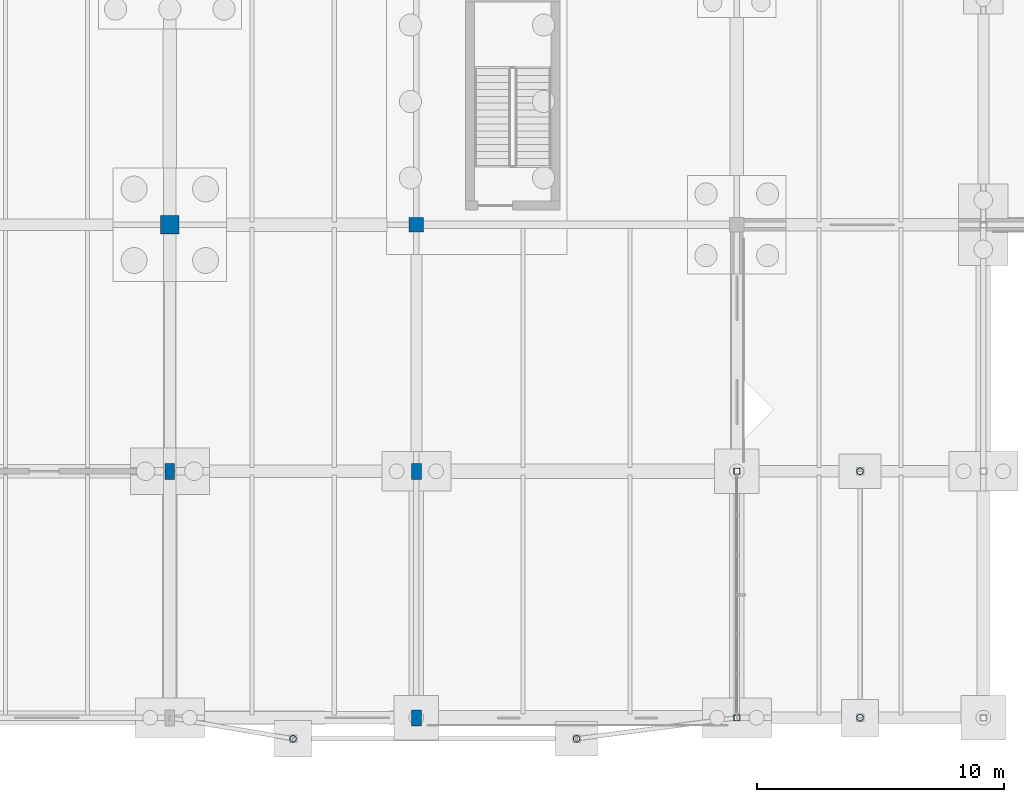
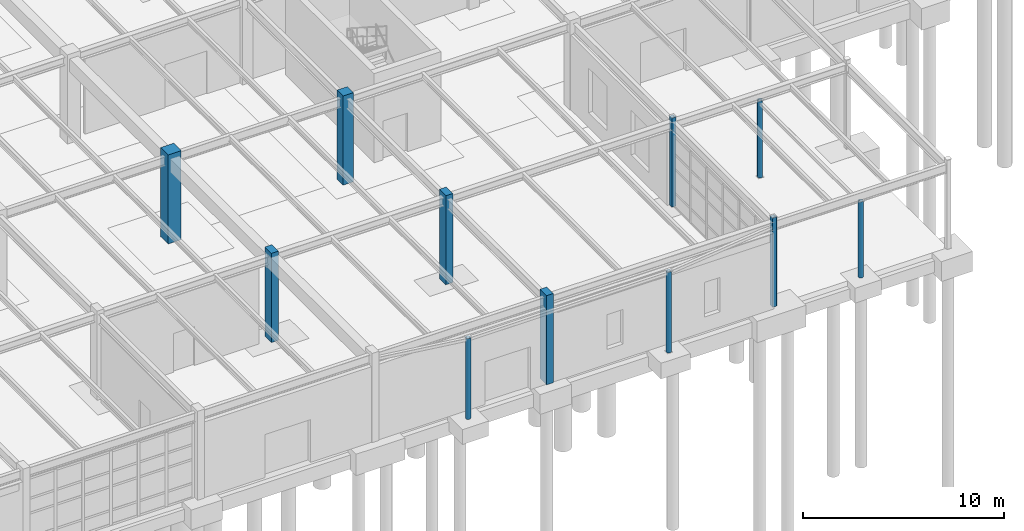
# One storey, part 11 of 145: 11 columns.
"""IFC4 building model written with IfcOpenShell, lengths in metres."""

from ifc_helpers import new_model, si_unit, direction, frame, origin, origin_2d, place, context, subcontext, project, spatial, rectangle, hollow_rectangle, hollow_circle, extrude, material, material_profile, profile_set, type_object, element, save


model = new_model("IFC4")

# Units and contexts
model_context = context("Model", 3, precision=1e-05, world=origin(), true_north=direction((0.0, 1.0)))
body_context = subcontext(model_context, "Body", "Model", "MODEL_VIEW")
ifc_project = project(units=[si_unit("LENGTHUNIT", "METRE"), si_unit("AREAUNIT", "SQUARE_METRE"), si_unit("VOLUMEUNIT", "CUBIC_METRE"), si_unit("PLANEANGLEUNIT", "RADIAN"), si_unit("MASSUNIT", "GRAM", prefix="KILO"), si_unit("THERMODYNAMICTEMPERATUREUNIT", "KELVIN"), si_unit("POWERUNIT", "WATT")], contexts=[model_context])

# Site, building, storey
site_placement = place(None, origin())
site = spatial("IfcSite", under=ifc_project, at=site_placement, CompositionType="ELEMENT")
building_placement = place(site_placement, origin())
building = spatial("IfcBuilding", under=site, at=building_placement, Name="Korenveer Ferry Terminal", CompositionType="ELEMENT")
storey_placement = place(building_placement, origin())
storey = spatial("IfcBuildingStorey", under=building, at=storey_placement, Name="L00", CompositionType="ELEMENT", Elevation=0.0)

# Columns
ifc_material_1 = material(Name="Steel S355", Category="steel")
ifc_material_profile_1 = material_profile(ifc_material_1, hollow_circle(Radius=0.136474609375, WallThickness=0.012451171875, at=origin_2d()), Name="CHS 273x12.5")
ifc_profile_set_1 = profile_set([ifc_material_profile_1], Name="Steel S355")
column_type_1 = type_object("IfcColumnType", Name="STR-COL-CHS273", PredefinedType="COLUMN", material=ifc_profile_set_1)
for number, where, z_axis, x_axis, name in (
    (1, (35.0, -0.85009765625, 0.0), (0.0, 0.0, 1.0), (1.0, 0.0, 0.0), "Forecourt lancet colonnade column 1"),
    (2, (46.5, -0.85009765625, 0.0), (0.0, 0.0, 1.0), (1.0, 0.0, 0.0), "Forecourt lancet colonnade column 2"),
):
    element("IfcColumn", number, at=place(storey_placement, frame(where, z_axis=z_axis, x_axis=x_axis)), inside=storey, type_object=column_type_1, Name=name, PredefinedType="COLUMN", context=body_context, shape_type="SweptSolid", body=[
        extrude(hollow_circle(Radius=0.136474609375, WallThickness=0.012451171875, at=origin_2d()), origin(), (0.0, 0.0, 1.0), 4.89990234375),
    ])
column_1_placement = place(storey_placement, frame((58.0, 0.0, 0.0), z_axis=(0.0, 0.0, 1.0), x_axis=(1.0, 0.0, 0.0)))
element("IfcColumn", 3, at=column_1_placement, inside=storey, type_object=column_type_1, Name="Forecourt lancet colonnade column 3", PredefinedType="COLUMN", context=body_context, shape_type="SweptSolid", body=[
    extrude(hollow_circle(Radius=0.136474609375, WallThickness=0.012451171875, at=origin_2d()), origin(), (0.0, 0.0, 1.0), 4.610107421875),
])
column_2_placement = place(storey_placement, frame((58.0, 10.0, 0.0), z_axis=(0.0, 0.0, 1.0), x_axis=(1.0, 0.0, 0.0)))
element("IfcColumn", 4, at=column_2_placement, inside=storey, type_object=column_type_1, Name="Forecourt lancet colonnade column 4", PredefinedType="COLUMN", context=body_context, shape_type="SweptSolid", body=[
    extrude(hollow_circle(Radius=0.136474609375, WallThickness=0.012451171875, at=origin_2d()), origin(), (0.0, 0.0, 1.0), 4.659912109375),
])
ifc_material_2 = material(Name="Concrete C45/55", Category="concrete")
ifc_material_profile_2 = material_profile(ifc_material_2, rectangle(XDim=0.39990234375, YDim=0.64990234375, at=origin_2d()), Name="RC 400x650")
ifc_profile_set_2 = profile_set([ifc_material_profile_2], Name="Concrete C45/55")
column_type_2 = type_object("IfcColumnType", Name="STR-COL-RC400X650", PredefinedType="COLUMN", material=ifc_profile_set_2)
for number, where, z_axis, x_axis, name in (
    (5, (30.0, 10.0, 0.0), (0.0, 0.0, 1.0), (1.0, 0.0, 0.0), "Column COL-L00-X30-Y10"),
    (6, (40.0, 0.0, 0.0), (0.0, 0.0, 1.0), (1.0, 0.0, 0.0), "Column COL-L00-X40-Y0"),
    (7, (40.0, 10.0, 0.0), (0.0, 0.0, 1.0), (1.0, 0.0, 0.0), "Column COL-L00-X40-Y10"),
):
    element("IfcColumn", number, at=place(storey_placement, frame(where, z_axis=z_axis, x_axis=x_axis)), inside=storey, type_object=column_type_2, Name=name, PredefinedType="COLUMN", context=body_context, shape_type="SweptSolid", body=[
        extrude(rectangle(XDim=0.39990234375, YDim=0.64990234375, at=origin_2d()), origin(), (0.0, 0.0, 1.0), 5.39990234375),
    ])
ifc_material_profile_3 = material_profile(ifc_material_2, rectangle(XDim=0.60009765625, YDim=0.60009765625, at=origin_2d()), Name="RC 600x600")
ifc_profile_set_3 = profile_set([ifc_material_profile_3], Name="Concrete C45/55")
column_type_3 = type_object("IfcColumnType", Name="STR-COL-RC600", PredefinedType="COLUMN", material=ifc_profile_set_3)
column_3_placement = place(storey_placement, frame((40.0, 20.0, 0.0), z_axis=(0.0, 0.0, 1.0), x_axis=(1.0, 0.0, 0.0)))
element("IfcColumn", 8, at=column_3_placement, inside=storey, type_object=column_type_3, Name="Column COL-L00-X40-Y20", PredefinedType="COLUMN", context=body_context, shape_type="SweptSolid", body=[
    extrude(rectangle(XDim=0.60009765625, YDim=0.60009765625, at=origin_2d()), origin(), (0.0, 0.0, 1.0), 5.39990234375),
])
ifc_material_profile_4 = material_profile(ifc_material_2, rectangle(XDim=0.75, YDim=0.75, at=origin_2d()), Name="RC 750x750")
ifc_profile_set_4 = profile_set([ifc_material_profile_4], Name="Concrete C45/55")
column_type_4 = type_object("IfcColumnType", Name="STR-COL-RC750", PredefinedType="COLUMN", material=ifc_profile_set_4)
column_4_placement = place(storey_placement, frame((30.0, 20.0, 0.0), z_axis=(0.0, 0.0, 1.0), x_axis=(1.0, 0.0, 0.0)))
element("IfcColumn", 9, at=column_4_placement, inside=storey, type_object=column_type_4, Name="Column COL-L00-X30-Y20", PredefinedType="COLUMN", context=body_context, shape_type="SweptSolid", body=[
    extrude(rectangle(XDim=0.75, YDim=0.75, at=origin_2d()), origin(), (0.0, 0.0, 1.0), 5.39990234375),
])
ifc_material_profile_5 = material_profile(ifc_material_1, hollow_rectangle(XDim=0.25, YDim=0.25, WallThickness=0.012451171875, InnerFilletRadius=0.012451171875, OuterFilletRadius=0.018798828125, at=origin_2d()), Name="SHS 250x250x12.5")
ifc_profile_set_5 = profile_set([ifc_material_profile_5], Name="Steel S355")
column_type_5 = type_object("IfcColumnType", Name="STR-COL-SHS250", PredefinedType="COLUMN", material=ifc_profile_set_5)
for number, where, z_axis, x_axis, name in (
    (10, (53.0, 0.0, 0.0), (0.0, 0.0, 1.0), (1.0, 0.0, 0.0), "Column COL-L00-X53-Y0"),
    (11, (53.0, 10.0, 0.0), (0.0, 0.0, 1.0), (1.0, 0.0, 0.0), "Column COL-L00-X53-Y10"),
):
    element("IfcColumn", number, at=place(storey_placement, frame(where, z_axis=z_axis, x_axis=x_axis)), inside=storey, type_object=column_type_5, Name=name, PredefinedType="COLUMN", context=body_context, shape_type="SweptSolid", body=[
        extrude(hollow_rectangle(XDim=0.25, YDim=0.25, WallThickness=0.012451171875, InnerFilletRadius=0.012451171875, OuterFilletRadius=0.018798828125, at=origin_2d()), origin(), (0.0, 0.0, 1.0), 5.39990234375),
    ])

save(model, "model.ifc")
